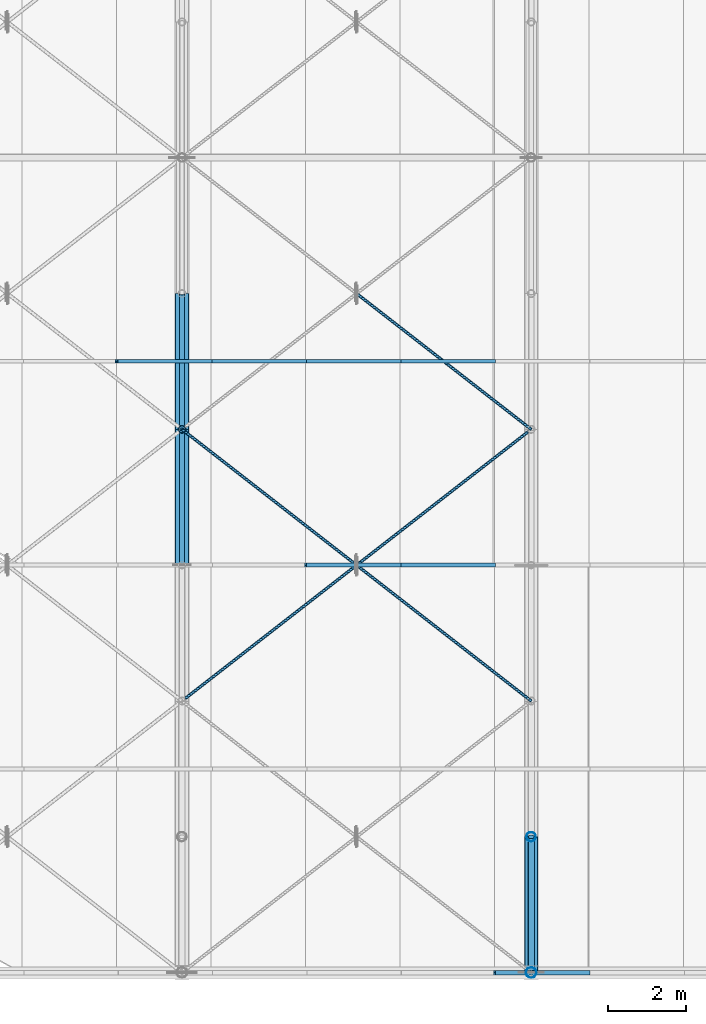
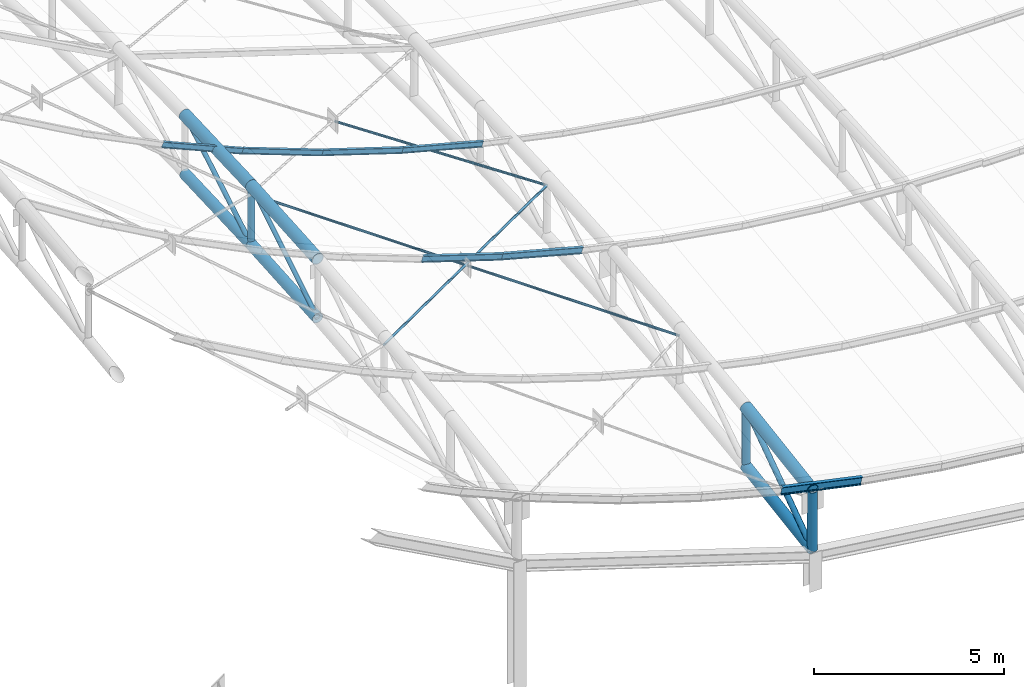
# One storey, part 19 of 262: 23 members.
"""IFC4 building model written with IfcOpenShell, lengths in metres."""

from ifc_helpers import new_model, si_unit, derived_unit, direction, frame, origin, origin_2d, place, context, subcontext, project, spatial, hollow_circle, i_section, extrude, material, material_profile, profile_set, type_object, element, save


model = new_model("IFC4")

# Units and contexts
model_context = context("Model", 3, precision=1e-05, world=origin(), true_north=direction((0.0, 1.0)))
body_context = subcontext(model_context, "Body", "Model", "MODEL_VIEW")
ifc_project = project(units=[si_unit("LENGTHUNIT", "METRE"), si_unit("AREAUNIT", "SQUARE_METRE"), si_unit("VOLUMEUNIT", "CUBIC_METRE"), si_unit("PLANEANGLEUNIT", "RADIAN"), si_unit("MASSUNIT", "GRAM", prefix="KILO"), derived_unit("THERMALTRANSMITTANCEUNIT", [(si_unit("POWERUNIT", "WATT"), 1), (si_unit("LENGTHUNIT", "METRE"), -2), (si_unit("THERMODYNAMICTEMPERATUREUNIT", "KELVIN"), -1)])], contexts=[model_context])

# Site, building, storey
site_placement = place(None, origin())
site = spatial("IfcSite", under=ifc_project, at=site_placement, CompositionType="ELEMENT")
building_placement = place(site_placement, origin())
building = spatial("IfcBuilding", under=site, at=building_placement, Name="Almenara Railside Exhibition Hall", CompositionType="ELEMENT")
storey_placement = place(building_placement, frame((0.0, 0.0, 21.699951171875)))
storey = spatial("IfcBuildingStorey", under=building, at=storey_placement, Name="RF", CompositionType="ELEMENT", Elevation=21.699951171875)

# Members
ifc_material = material(Name="Structural steel S355JR", Category="steel")
ifc_material_profile_1 = material_profile(ifc_material, hollow_circle(Radius=0.0380859375, WallThickness=0.003662109375, at=origin_2d()), Name="CHS 76.1x3.6")
ifc_profile_set_1 = profile_set([ifc_material_profile_1], Name="Structural steel S355JR")
member_type_1 = type_object("IfcMemberType", Name="Lantern Cross-Tie Brace CHS 76.1x3.6 S355JR", PredefinedType="BRACE", material=ifc_profile_set_1)
member_1_placement = place(storey_placement, frame((12.0, 7.0, -3.279052734375), z_axis=(0.774139083948, 0.602108176404, -0.195382759252), x_axis=(-0.613940613515, 0.789352217376, 0.0)))
element("IfcMember", 1, at=member_1_placement, inside=storey, type_object=member_type_1, Name="MEM-WB-V4-WB-CHS76-01-02-C", PredefinedType="BRACE", context=body_context, shape_type="SweptSolid", body=[
    extrude(hollow_circle(Radius=0.0380859375, WallThickness=0.003662109375, at=origin_2d()), origin(), (0.0, 0.0, 1.0), 11.625732421875),
])
for number, where, z_axis, x_axis, name in (
    (2, (12.0, 14.0, -2.678955078125), (0.755120122258, -0.587320234966, -0.291287731567), (0.613943599375, 0.789349895031, 0.0), "MEM-WB-V4-WB-CHS76-01-02-S1"),
    (3, (16.53173828125, 10.475341796875, -4.427001953125), (0.755120122258, -0.587320234966, -0.291287731567), (0.613943599375, 0.789349895031, 0.0), "MEM-WB-V4-WB-CHS76-01-02-S2"),
):
    element("IfcMember", number, at=place(storey_placement, frame(where, z_axis=z_axis, x_axis=x_axis)), inside=storey, type_object=member_type_1, Name=name, PredefinedType="BRACE", context=body_context, shape_type="SweptSolid", body=[
        extrude(hollow_circle(Radius=0.0380859375, WallThickness=0.003662109375, at=origin_2d()), origin(), (0.0, 0.0, 1.0), 5.917236328125),
    ])
member_2_placement = place(storey_placement, frame((16.531982421875, 17.47509765625, -4.025634765625), z_axis=(0.762180594374, -0.59280250152, -0.260126768617), x_axis=(0.613937627465, 0.789354539851, 0.0)))
element("IfcMember", 4, at=member_2_placement, inside=storey, type_object=member_type_1, Name="MEM-WB-V4-WB-CHS76-01-04-S2", PredefinedType="BRACE", context=body_context, shape_type="SweptSolid", body=[
    extrude(hollow_circle(Radius=0.0380859375, WallThickness=0.003662109375, at=origin_2d()), origin(), (0.0, 0.0, 1.0), 5.862060546875),
])
ifc_material_profile_2 = material_profile(ifc_material, i_section(OverallWidth=0.091064453125, OverallDepth=0.179931640625, WebThickness=0.00537109375, FlangeThickness=0.008056640625, FilletRadius=0.009033203125, at=origin_2d()), Name="IPE 180")
ifc_profile_set_2 = profile_set([ifc_material_profile_2], Name="Structural steel S355JR")
member_type_2 = type_object("IfcMemberType", Name="Plenary Roof Purlin IPE 180 S355JR", PredefinedType="PURLIN", material=ifc_profile_set_2)
member_3_placement = place(storey_placement, frame((10.31005859375, 15.75, -1.549560546875), z_axis=(0.917189812532, 0.0, -0.398450558775), x_axis=(0.0, 1.0, 0.0)))
element("IfcMember", 5, at=member_3_placement, inside=storey, type_object=member_type_2, Name="MEM-PR-V4-PR-IPE180-03-03", PredefinedType="PURLIN", context=body_context, shape_type="SweptSolid", body=[
    extrude(i_section(OverallWidth=0.091064453125, OverallDepth=0.179931640625, WebThickness=0.00537109375, FlangeThickness=0.008056640625, FilletRadius=0.009033203125, at=origin_2d()), origin(), (0.0, 0.0, 1.0), 2.65673828125),
])
member_4_placement = place(storey_placement, frame((12.746826171875, 15.75, -2.601806640625), z_axis=(0.936171044044, 0.0, -0.351544842508), x_axis=(0.0, 1.0, 0.0)))
element("IfcMember", 6, at=member_4_placement, inside=storey, type_object=member_type_2, Name="MEM-PR-V4-PR-IPE180-03-04", PredefinedType="PURLIN", context=body_context, shape_type="SweptSolid", body=[
    extrude(i_section(OverallWidth=0.091064453125, OverallDepth=0.179931640625, WebThickness=0.00537109375, FlangeThickness=0.008056640625, FilletRadius=0.009033203125, at=origin_2d()), origin(), (0.0, 0.0, 1.0), 2.60302734375),
])
member_5_placement = place(storey_placement, frame((15.18359375, 15.75, -3.51171875), z_axis=(0.952468462339, 0.0, -0.304637207594), x_axis=(0.0, 1.0, 0.0)))
element("IfcMember", 7, at=member_5_placement, inside=storey, type_object=member_type_2, Name="MEM-PR-V4-PR-IPE180-03-05", PredefinedType="PURLIN", context=body_context, shape_type="SweptSolid", body=[
    extrude(i_section(OverallWidth=0.091064453125, OverallDepth=0.179931640625, WebThickness=0.00537109375, FlangeThickness=0.008056640625, FilletRadius=0.009033203125, at=origin_2d()), origin(), (0.0, 0.0, 1.0), 2.55810546875),
])
member_6_placement = place(storey_placement, frame((17.6201171875, 15.75, -4.286865234375), z_axis=(0.966201190487, 0.0, -0.257789176462), x_axis=(0.0, 1.0, 0.0)))
element("IfcMember", 8, at=member_6_placement, inside=storey, type_object=member_type_2, Name="MEM-PR-V4-PR-IPE180-03-06", PredefinedType="PURLIN", context=body_context, shape_type="SweptSolid", body=[
    extrude(i_section(OverallWidth=0.091064453125, OverallDepth=0.179931640625, WebThickness=0.00537109375, FlangeThickness=0.008056640625, FilletRadius=0.009033203125, at=origin_2d()), origin(), (0.0, 0.0, 1.0), 2.52197265625),
])
ifc_material_profile_3 = material_profile(ifc_material, hollow_circle(Radius=0.161865234375, WallThickness=0.010009765625, at=origin_2d()), Name="CHS 323.9x10")
ifc_profile_set_3 = profile_set([ifc_material_profile_3], Name="Structural steel S355JR")
member_type_3 = type_object("IfcMemberType", Name="Plenary Truss Bottom Chord CHS 323.9x10 S355JR", PredefinedType="CHORD", material=ifc_profile_set_3)
member_7_placement = place(storey_placement, frame((12.0, 10.5, -4.549072265625), z_axis=(0.0, 0.997458699831, 0.071247049988), x_axis=(-1.0, 0.0, 0.0)))
element("IfcMember", 9, at=member_7_placement, inside=storey, type_object=member_type_3, Name="MEM-BC-V4-01-03", PredefinedType="CHORD", context=body_context, shape_type="SweptSolid", body=[
    extrude(hollow_circle(Radius=0.161865234375, WallThickness=0.010009765625, at=origin_2d()), origin(), (0.0, 0.0, 1.0), 3.509033203125),
])
member_8_placement = place(storey_placement, frame((12.0, 14.0, -4.299072265625), z_axis=(0.0, 0.999084087935, 0.042790013253), x_axis=(-1.0, 0.0, 0.0)))
element("IfcMember", 10, at=member_8_placement, inside=storey, type_object=member_type_3, Name="MEM-BC-V4-01-04", PredefinedType="CHORD", context=body_context, shape_type="SweptSolid", body=[
    extrude(hollow_circle(Radius=0.161865234375, WallThickness=0.010009765625, at=origin_2d()), origin(), (0.0, 0.0, 1.0), 3.503173828125),
])
member_9_placement = place(storey_placement, frame((21.0, 0.0, -8.7705078125), z_axis=(0.0, 0.987875011802, 0.155251283593), x_axis=(-1.0, 0.0, 0.0)))
element("IfcMember", 11, at=member_9_placement, inside=storey, type_object=member_type_3, Name="MEM-BC-V4-02-00", PredefinedType="CHORD", context=body_context, shape_type="SweptSolid", body=[
    extrude(hollow_circle(Radius=0.161865234375, WallThickness=0.010009765625, at=origin_2d()), origin(), (0.0, 0.0, 1.0), 3.54296875),
])
ifc_material_profile_4 = material_profile(ifc_material, hollow_circle(Radius=0.177734375, WallThickness=0.012451171875, at=origin_2d()), Name="CHS 355.6x12.5")
ifc_profile_set_4 = profile_set([ifc_material_profile_4], Name="Structural steel S355JR")
member_type_4 = type_object("IfcMemberType", Name="Plenary Truss Top Chord CHS 355.6x12.5 S355JR", PredefinedType="CHORD", material=ifc_profile_set_4)
member_10_placement = place(storey_placement, frame((12.0, 10.5, -2.649169921875), z_axis=(0.0, 0.997458699831, 0.071247049988), x_axis=(-1.0, 0.0, 0.0)))
element("IfcMember", 12, at=member_10_placement, inside=storey, type_object=member_type_4, Name="MEM-TC-V4-01-03", PredefinedType="CHORD", context=body_context, shape_type="SweptSolid", body=[
    extrude(hollow_circle(Radius=0.177734375, WallThickness=0.012451171875, at=origin_2d()), origin(), (0.0, 0.0, 1.0), 3.509033203125),
])
member_11_placement = place(storey_placement, frame((12.0, 14.0, -2.399169921875), z_axis=(0.0, 0.999081106193, 0.042859575914), x_axis=(-1.0, 0.0, 0.0)))
element("IfcMember", 13, at=member_11_placement, inside=storey, type_object=member_type_4, Name="MEM-TC-V4-01-04", PredefinedType="CHORD", context=body_context, shape_type="SweptSolid", body=[
    extrude(hollow_circle(Radius=0.177734375, WallThickness=0.012451171875, at=origin_2d()), origin(), (0.0, 0.0, 1.0), 3.503173828125),
])
member_12_placement = place(storey_placement, frame((21.0, 0.0, -6.87060546875), z_axis=(0.0, 0.987875011802, 0.155251283593), x_axis=(-1.0, 0.0, 0.0)))
element("IfcMember", 14, at=member_12_placement, inside=storey, type_object=member_type_4, Name="MEM-TC-V4-02-00", PredefinedType="CHORD", context=body_context, shape_type="SweptSolid", body=[
    extrude(hollow_circle(Radius=0.177734375, WallThickness=0.012451171875, at=origin_2d()), origin(), (0.0, 0.0, 1.0), 3.54296875),
])
ifc_material_profile_5 = material_profile(ifc_material, i_section(OverallWidth=0.1201171875, OverallDepth=0.239990234375, WebThickness=0.006103515625, FlangeThickness=0.009765625, FilletRadius=0.014892578125, at=origin_2d()), Name="IPE 240")
ifc_profile_set_5 = profile_set([ifc_material_profile_5], Name="Structural steel S355JR")
member_type_5 = type_object("IfcMemberType", Name="Scroll Roof Purlin IPE 240 S355JR", PredefinedType="PURLIN", material=ifc_profile_set_5)
member_13_placement = place(storey_placement, frame((20.056884765625, 0.0, -6.5478515625), z_axis=(0.977496103583, 0.0, -0.210953472309), x_axis=(0.0, 1.0, 0.0)))
element("IfcMember", 15, at=member_13_placement, inside=storey, type_object=member_type_5, Name="MEM-PR-V4-PR-IPE240-00-07", PredefinedType="PURLIN", context=body_context, shape_type="SweptSolid", body=[
    extrude(i_section(OverallWidth=0.1201171875, OverallDepth=0.239990234375, WebThickness=0.006103515625, FlangeThickness=0.009765625, FilletRadius=0.014892578125, at=origin_2d()), origin(), (0.0, 0.0, 1.0), 2.492919921875),
])
ifc_material_profile_6 = material_profile(ifc_material, i_section(OverallWidth=0.10009765625, OverallDepth=0.199951171875, WebThickness=0.005615234375, FlangeThickness=0.008544921875, FilletRadius=0.011962890625, at=origin_2d()), Name="IPE 200")
ifc_profile_set_6 = profile_set([ifc_material_profile_6], Name="Structural steel S355JR")
member_type_6 = type_object("IfcMemberType", Name="Standard Hall Roof Purlin IPE 200 S355JR", PredefinedType="PURLIN", material=ifc_profile_set_6)
member_14_placement = place(storey_placement, frame((15.18359375, 10.5, -3.749267578125), z_axis=(0.952440767254, 0.0, -0.304723784553), x_axis=(0.0, 1.0, 0.0)))
element("IfcMember", 16, at=member_14_placement, inside=storey, type_object=member_type_6, Name="MEM-PR-V4-PR-IPE200-02-05", PredefinedType="PURLIN", context=body_context, shape_type="SweptSolid", body=[
    extrude(i_section(OverallWidth=0.10009765625, OverallDepth=0.199951171875, WebThickness=0.005615234375, FlangeThickness=0.008544921875, FilletRadius=0.011962890625, at=origin_2d()), origin(), (0.0, 0.0, 1.0), 2.55810546875),
])
member_15_placement = place(storey_placement, frame((17.6201171875, 10.5, -4.5244140625), z_axis=(0.966201190487, 0.0, -0.257789176462), x_axis=(0.0, 1.0, 0.0)))
element("IfcMember", 17, at=member_15_placement, inside=storey, type_object=member_type_6, Name="MEM-PR-V4-PR-IPE200-02-06", PredefinedType="PURLIN", context=body_context, shape_type="SweptSolid", body=[
    extrude(i_section(OverallWidth=0.10009765625, OverallDepth=0.199951171875, WebThickness=0.005615234375, FlangeThickness=0.008544921875, FilletRadius=0.011962890625, at=origin_2d()), origin(), (0.0, 0.0, 1.0), 2.52197265625),
])
ifc_material_profile_7 = material_profile(ifc_material, hollow_circle(Radius=0.084228515625, WallThickness=0.006103515625, at=origin_2d()), Name="CHS 168.3x6")
ifc_profile_set_7 = profile_set([ifc_material_profile_7], Name="Structural steel S355JR")
member_type_7 = type_object("IfcMemberType", Name="Truss End Diagonal CHS 168.3x6 S355JR", PredefinedType="BRACE", material=ifc_profile_set_7)
member_16_placement = place(storey_placement, frame((21.0, 0.0, -8.7705078125), z_axis=(0.0, 0.819237289855, 0.573454673807), x_axis=(-1.0, 0.0, 0.0)))
element("IfcMember", 18, at=member_16_placement, inside=storey, type_object=member_type_7, Name="MEM-TD-V4-02-00", PredefinedType="BRACE", context=body_context, shape_type="SweptSolid", body=[
    extrude(hollow_circle(Radius=0.084228515625, WallThickness=0.006103515625, at=origin_2d()), origin(), (0.0, 0.0, 1.0), 4.272216796875),
])
ifc_material_profile_8 = material_profile(ifc_material, hollow_circle(Radius=0.122314453125, WallThickness=0.008056640625, at=origin_2d()), Name="CHS 244.5x8")
ifc_profile_set_8 = profile_set([ifc_material_profile_8], Name="Structural steel S355JR")
member_type_8 = type_object("IfcMemberType", Name="Truss Haunch Vertical Strut CHS 244.5x8 S355JR", PredefinedType="BRACE", material=ifc_profile_set_8)
member_17_placement = place(storey_placement, frame((21.0, 3.5, -8.220458984375), z_axis=(0.0, 0.0, 1.0), x_axis=(1.0, 0.0, 0.0)))
element("IfcMember", 19, at=member_17_placement, inside=storey, type_object=member_type_8, Name="MEM-TV-V4-02-01", PredefinedType="BRACE", context=body_context, shape_type="SweptSolid", body=[
    extrude(hollow_circle(Radius=0.122314453125, WallThickness=0.008056640625, at=origin_2d()), origin(), (0.0, 0.0, 1.0), 1.89990234375),
])
ifc_material_profile_9 = material_profile(ifc_material, hollow_circle(Radius=0.06982421875, WallThickness=0.0048828125, at=origin_2d()), Name="CHS 139.7x5")
ifc_profile_set_9 = profile_set([ifc_material_profile_9], Name="Structural steel S355JR")
member_type_9 = type_object("IfcMemberType", Name="Truss Inner Diagonal CHS 139.7x5 S355JR", PredefinedType="BRACE", material=ifc_profile_set_9)
member_18_placement = place(storey_placement, frame((12.0, 10.5, -4.549072265625), z_axis=(0.0, 0.852086589476, 0.523400844512), x_axis=(-1.0, 0.0, 0.0)))
element("IfcMember", 20, at=member_18_placement, inside=storey, type_object=member_type_9, Name="MEM-TD-V4-01-03", PredefinedType="BRACE", context=body_context, shape_type="SweptSolid", body=[
    extrude(hollow_circle(Radius=0.06982421875, WallThickness=0.0048828125, at=origin_2d()), origin(), (0.0, 0.0, 1.0), 4.107666015625),
])
member_19_placement = place(storey_placement, frame((12.0, 14.0, -4.299072265625), z_axis=(0.0, 0.862878111278, 0.505412074526), x_axis=(-1.0, 0.0, 0.0)))
element("IfcMember", 21, at=member_19_placement, inside=storey, type_object=member_type_9, Name="MEM-TD-V4-01-04", PredefinedType="BRACE", context=body_context, shape_type="SweptSolid", body=[
    extrude(hollow_circle(Radius=0.06982421875, WallThickness=0.0048828125, at=origin_2d()), origin(), (0.0, 0.0, 1.0), 4.05615234375),
])
ifc_material_profile_10 = material_profile(ifc_material, hollow_circle(Radius=0.096923828125, WallThickness=0.00634765625, at=origin_2d()), Name="CHS 193.7x6.3")
ifc_profile_set_10 = profile_set([ifc_material_profile_10], Name="Structural steel S355JR")
member_type_10 = type_object("IfcMemberType", Name="Truss Standard Vertical Strut CHS 193.7x6.3 S355JR", PredefinedType="BRACE", material=ifc_profile_set_10)
member_20_placement = place(storey_placement, frame((12.0, 14.0, -4.299072265625), z_axis=(0.0, 0.0, 1.0), x_axis=(1.0, 0.0, 0.0)))
element("IfcMember", 22, at=member_20_placement, inside=storey, type_object=member_type_10, Name="MEM-TV-V4-01-04", PredefinedType="BRACE", context=body_context, shape_type="SweptSolid", body=[
    extrude(hollow_circle(Radius=0.096923828125, WallThickness=0.00634765625, at=origin_2d()), origin(), (0.0, 0.0, 1.0), 1.89990234375),
])
ifc_material_profile_11 = material_profile(ifc_material, hollow_circle(Radius=0.136474609375, WallThickness=0.008056640625, at=origin_2d()), Name="CHS 273x8")
ifc_profile_set_11 = profile_set([ifc_material_profile_11], Name="Structural steel S355JR")
member_type_11 = type_object("IfcMemberType", Name="Truss Support Vertical Strut CHS 273x8 S355JR", PredefinedType="BRACE", material=ifc_profile_set_11)
member_21_placement = place(storey_placement, frame((21.0, 0.0, -8.7705078125), z_axis=(0.0, 0.0, 1.0), x_axis=(1.0, 0.0, 0.0)))
element("IfcMember", 23, at=member_21_placement, inside=storey, type_object=member_type_11, Name="MEM-TV-V4-02-00", PredefinedType="BRACE", context=body_context, shape_type="SweptSolid", body=[
    extrude(hollow_circle(Radius=0.136474609375, WallThickness=0.008056640625, at=origin_2d()), origin(), (0.0, 0.0, 1.0), 1.89990234375),
])

save(model, "model.ifc")
